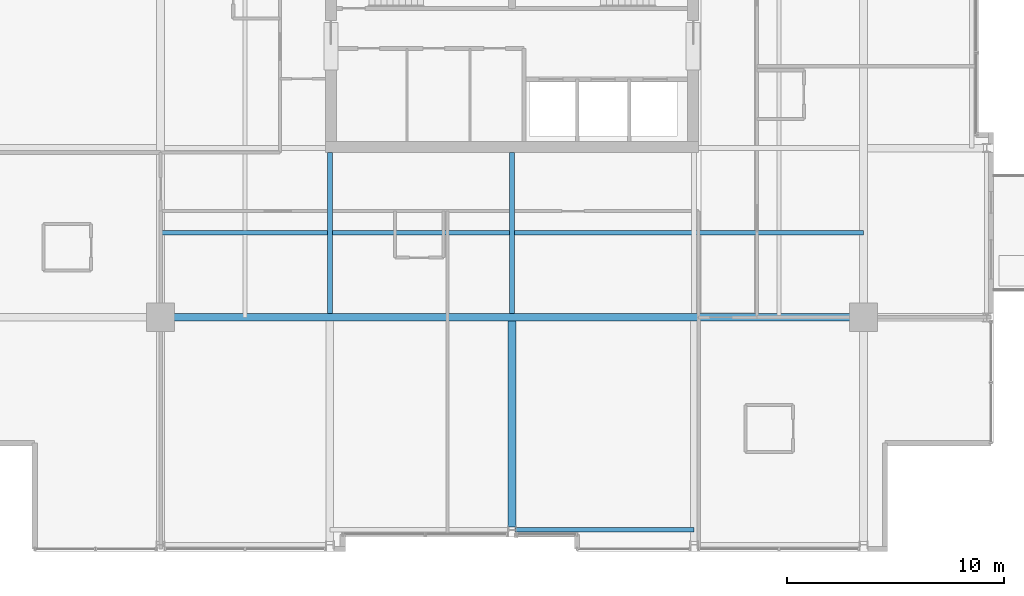
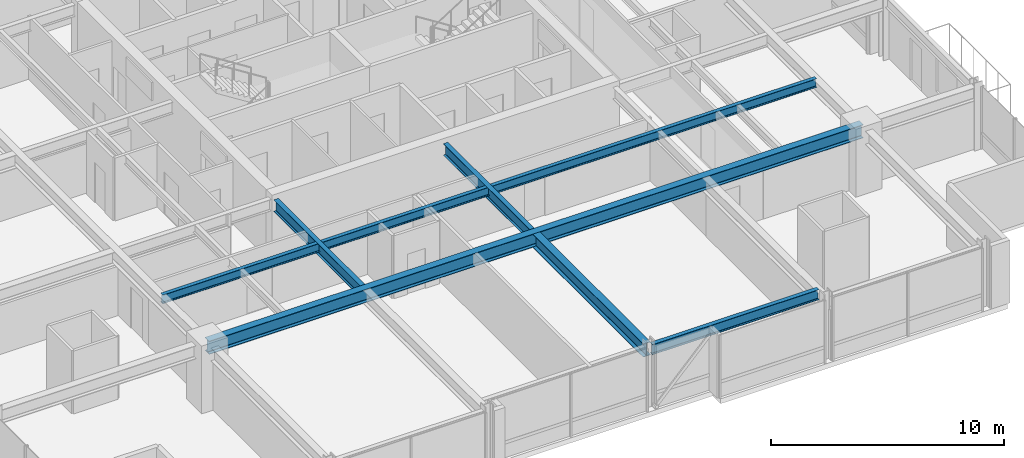
# One storey, part 6 of 33: 6 beams.
"""IFC4 building model written with IfcOpenShell, lengths in metres."""

from ifc_helpers import new_model, si_unit, direction, frame, origin, origin_2d, place, context, subcontext, project, spatial, i_section, extrude, material, material_profile, profile_set, type_object, element, save


model = new_model("IFC4")

# Units and contexts
model_context = context("Model", 3, precision=1e-05, world=origin(), true_north=direction((0.0, 1.0)))
body_context = subcontext(model_context, "Body", "Model", "MODEL_VIEW")
ifc_project = project(units=[si_unit("LENGTHUNIT", "METRE"), si_unit("AREAUNIT", "SQUARE_METRE"), si_unit("VOLUMEUNIT", "CUBIC_METRE"), si_unit("PLANEANGLEUNIT", "RADIAN"), si_unit("MASSUNIT", "GRAM", prefix="KILO")], contexts=[model_context])

# Site, building, storey
site_placement = place(None, origin())
site = spatial("IfcSite", under=ifc_project, at=site_placement, CompositionType="ELEMENT")
building_placement = place(site_placement, origin())
building = spatial("IfcBuilding", under=site, at=building_placement, Name="Drelvath Grand Hotel", CompositionType="ELEMENT")
storey_placement = place(building_placement, frame((0.0, 0.0, 168.14990234375)))
storey = spatial("IfcBuildingStorey", under=building, at=storey_placement, Name="L43", CompositionType="ELEMENT", Elevation=168.14990234375)

# Beams
ifc_material = material(Name="Steel ASTM A992 Gr 50", Category="steel")
ifc_material_profile_1 = material_profile(ifc_material, i_section(OverallWidth=0.19140625, OverallDepth=0.4599609375, WebThickness=0.010009765625, FlangeThickness=0.01611328125, FilletRadius=0.01611328125, at=origin_2d()), Name="W18X55")
ifc_profile_set_1 = profile_set([ifc_material_profile_1], Name="Steel ASTM A992 Gr 50")
beam_type_1 = type_object("IfcBeamType", Name="Composite Floor Joist W18X55", PredefinedType="JOIST", material=ifc_profile_set_1)
beam_1_placement = place(storey_placement, frame((-16.199951171875, 14.699951171875, 3.06005859375), z_axis=(1.0, 0.0, 0.0), x_axis=(0.0, 1.0, 0.0)))
element("IfcBeam", 1, at=beam_1_placement, inside=storey, type_object=beam_type_1, Name="L43 Floor Joist J1", PredefinedType="JOIST", context=body_context, shape_type="SweptSolid", body=[
    extrude(i_section(OverallWidth=0.19140625, OverallDepth=0.4599609375, WebThickness=0.010009765625, FlangeThickness=0.01611328125, FilletRadius=0.01611328125, at=origin_2d()), origin(), (0.0, 0.0, 1.0), 32.39990234375),
])
ifc_material_profile_2 = material_profile(ifc_material, i_section(OverallWidth=0.210205078125, OverallDepth=0.53662109375, WebThickness=0.010986328125, FlangeThickness=0.017333984375, FilletRadius=0.01806640625, at=origin_2d()), Name="W21X68")
ifc_profile_set_2 = profile_set([ifc_material_profile_2], Name="Steel ASTM A992 Gr 50")
beam_type_2 = type_object("IfcBeamType", Name="Perimeter Spandrel Beam W21X68", PredefinedType="SPANDREL", material=ifc_profile_set_2)
beam_2_placement = place(storey_placement, frame((0.139892578125, 1.0, 3.021728515625), z_axis=(1.0, 0.0, 0.0), x_axis=(0.0, 1.0, 0.0)))
element("IfcBeam", 2, at=beam_2_placement, inside=storey, type_object=beam_type_2, Name="L43 Spandrel South Mid E", PredefinedType="SPANDREL", context=body_context, shape_type="SweptSolid", body=[
    extrude(i_section(OverallWidth=0.210205078125, OverallDepth=0.53662109375, WebThickness=0.010986328125, FlangeThickness=0.017333984375, FilletRadius=0.01806640625, at=origin_2d()), origin(), (0.0, 0.0, 1.0), 8.260009765625),
])
ifc_material_profile_3 = material_profile(ifc_material, i_section(OverallWidth=0.228271484375, OverallDepth=0.607666015625, WebThickness=0.01123046875, FlangeThickness=0.017333984375, FilletRadius=0.02001953125, at=origin_2d()), Name="W24X76")
ifc_profile_set_3 = profile_set([ifc_material_profile_3], Name="Steel ASTM A992 Gr 50")
beam_type_3 = type_object("IfcBeamType", Name="Primary Floor Girder W24X76", PredefinedType="BEAM", material=ifc_profile_set_3)
for number, where, z_axis, x_axis, name in (
    (3, (-8.39990234375, 10.977294921875, 2.986328125), (0.0, 1.0, 0.0), (-1.0, 0.0, 0.0), "L43 South Core Tie 4"),
    (4, (0.0, 10.977294921875, 2.986328125), (0.0, 1.0, 0.0), (-1.0, 0.0, 0.0), "L43 South Core Tie 5"),
):
    element("IfcBeam", number, at=place(storey_placement, frame(where, z_axis=z_axis, x_axis=x_axis)), inside=storey, type_object=beam_type_3, Name=name, PredefinedType="BEAM", context=body_context, shape_type="SweptSolid", body=[
        extrude(i_section(OverallWidth=0.228271484375, OverallDepth=0.607666015625, WebThickness=0.01123046875, FlangeThickness=0.017333984375, FilletRadius=0.02001953125, at=origin_2d()), origin(), (0.0, 0.0, 1.0), 7.422607421875),
    ])
ifc_material_profile_4 = material_profile(ifc_material, i_section(OverallWidth=0.354736328125, OverallDepth=0.695556640625, WebThickness=0.015380859375, FlangeThickness=0.025146484375, FilletRadius=0.02392578125, at=origin_2d()), Name="W27X146")
ifc_profile_set_4 = profile_set([ifc_material_profile_4], Name="Steel ASTM A992 Gr 50")
beam_type_4 = type_object("IfcBeamType", Name="Primary Floor Girder W27X146", PredefinedType="BEAM", material=ifc_profile_set_4)
beam_3_placement = place(storey_placement, frame((-16.199951171875, 10.800048828125, 2.9423828125), z_axis=(1.0, 0.0, 0.0), x_axis=(0.0, 1.0, 0.0)))
element("IfcBeam", 5, at=beam_3_placement, inside=storey, type_object=beam_type_4, Name="L43 Mega Ring Girder South", PredefinedType="BEAM", context=body_context, shape_type="SweptSolid", body=[
    extrude(i_section(OverallWidth=0.354736328125, OverallDepth=0.695556640625, WebThickness=0.015380859375, FlangeThickness=0.025146484375, FilletRadius=0.02392578125, at=origin_2d()), origin(), (0.0, 0.0, 1.0), 32.39990234375),
])
beam_4_placement = place(storey_placement, frame((0.0, 1.139892578125, 2.9423828125), z_axis=(0.0, 1.0, 0.0), x_axis=(-1.0, 0.0, 0.0)))
element("IfcBeam", 6, at=beam_4_placement, inside=storey, type_object=beam_type_4, Name="L43 South Wing Girder 5", PredefinedType="BEAM", context=body_context, shape_type="SweptSolid", body=[
    extrude(i_section(OverallWidth=0.354736328125, OverallDepth=0.695556640625, WebThickness=0.015380859375, FlangeThickness=0.025146484375, FilletRadius=0.02392578125, at=origin_2d()), origin(), (0.0, 0.0, 1.0), 9.482666015625),
])

save(model, "model.ifc")
